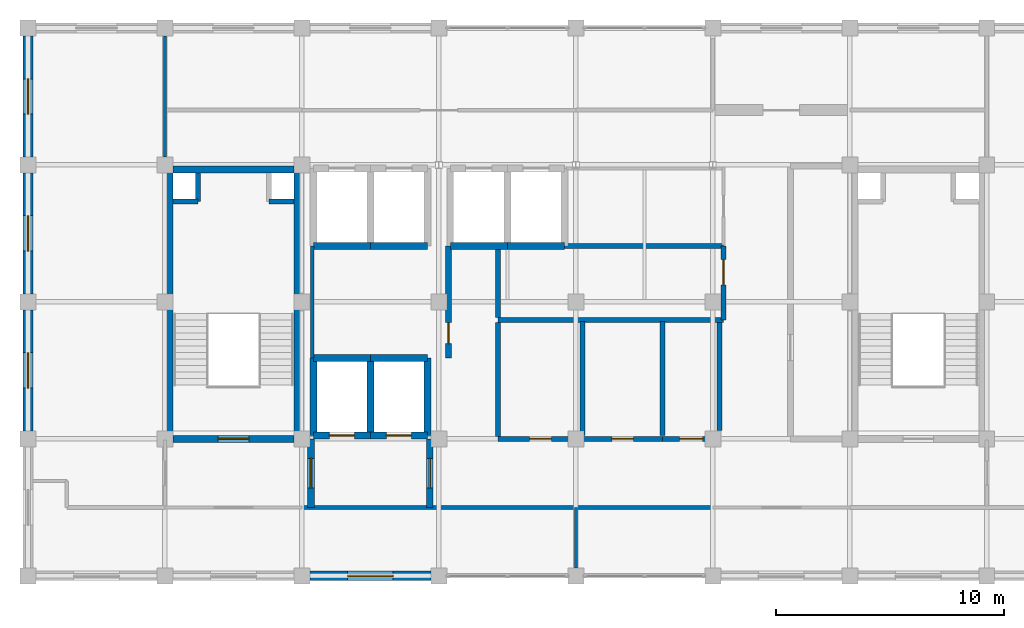
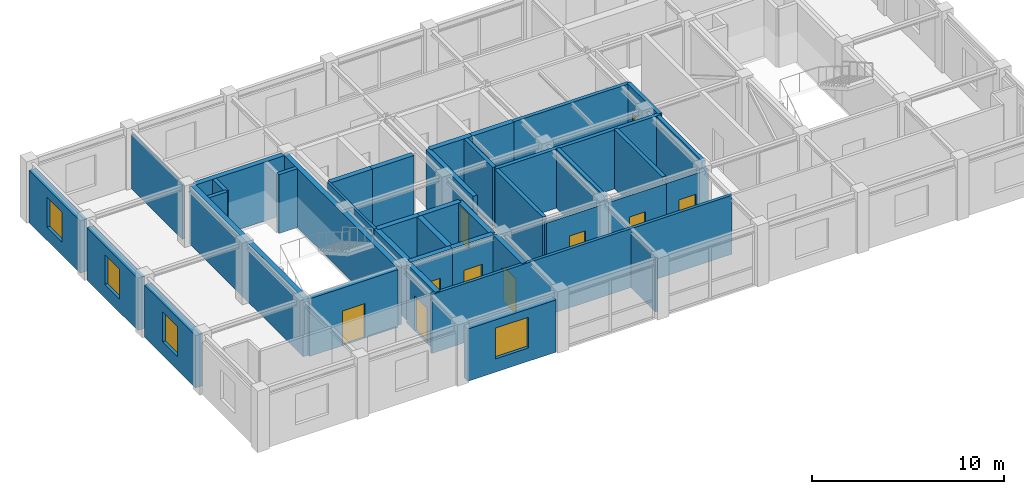
# One storey, part 8 of 11: 40 walls, 10 doors, 4 windows, 14 openings.
"""IFC4 building model written with IfcOpenShell, lengths in metres."""

from ifc_helpers import new_model, si_unit, direction, frame, frame_2d, origin, place, context, subcontext, project, spatial, rectangle, extrude, material, layer, layer_set, type_object, element, fill, save


model = new_model("IFC4")

# Units and contexts
model_context = context("Model", 3, precision=1e-05, world=origin(), true_north=direction((0.0, 1.0)))
body_context = subcontext(model_context, "Body", "Model", "MODEL_VIEW")
ifc_project = project(units=[si_unit("LENGTHUNIT", "METRE"), si_unit("AREAUNIT", "SQUARE_METRE"), si_unit("VOLUMEUNIT", "CUBIC_METRE"), si_unit("PLANEANGLEUNIT", "RADIAN"), si_unit("MASSUNIT", "GRAM", prefix="KILO")], contexts=[model_context])

# Site, building, storey
site_placement = place(None, origin())
site = spatial("IfcSite", under=ifc_project, at=site_placement, CompositionType="ELEMENT")
building_placement = place(site_placement, origin())
building = spatial("IfcBuilding", under=site, at=building_placement, Name="Zlatovratsky Civic Hall", CompositionType="ELEMENT")
storey_placement = place(building_placement, frame((0.0, 0.0, 56.10009765625)))
storey = spatial("IfcBuildingStorey", under=building, at=storey_placement, Name="L14", CompositionType="ELEMENT", Elevation=56.10009765625)

# Wall
ifc_material_1 = material(Name="Acoustic ceramic blockwork", Category="masonry")
ifc_layer_1 = layer(ifc_material_1, 0.179931640625)
ifc_layer_set_1 = layer_set([ifc_layer_1], Name="Acoustic ceramic blockwork")
wall_type_1 = type_object("IfcWallType", Name="Wall_AcousticChamberPartition_180", PredefinedType="PARTITIONING", material=ifc_layer_set_1)
wall_1_placement = place(storey_placement, frame((72.0, 81.0, 0.0), z_axis=(0.0, 0.0, 1.0), x_axis=(1.0, 0.0, 0.0)))
element("IfcWall", 1, at=wall_1_placement, inside=storey, type_object=wall_type_1, Name="WL-6675", PredefinedType="PARTITIONING", context=body_context, shape_type="SweptSolid", body=[
    extrude(rectangle(XDim=18.0, YDim=0.179931640625, at=frame_2d((9.0, 0.0))), origin(), (0.0, 0.0, 1.0), 3.739990234375),
])

# Wall, opening, door
ifc_layer_2 = layer(ifc_material_1, 0.260009765625)
ifc_layer_set_2 = layer_set([ifc_layer_2], Name="Acoustic ceramic blockwork")
wall_type_2 = type_object("IfcWallType", Name="Wall_ArchiveCompartment_260", PredefinedType="PARTITIONING", material=ifc_layer_set_2)
wall_2_placement = place(storey_placement, frame((78.419921875, 87.550048828125, 0.0), z_axis=(0.0, 0.0, 1.0), x_axis=(0.0, 1.0, 0.0)))
wall_2 = element("IfcWall", 2, at=wall_2_placement, inside=storey, type_object=wall_type_2, Name="WL-6664", PredefinedType="PARTITIONING", context=body_context, shape_type="SweptSolid", body=[
    extrude(rectangle(XDim=4.89990234375, YDim=0.260009765625, at=frame_2d((2.449951171875, 0.0))), origin(), (0.0, 0.0, 1.0), 3.739990234375),
])
opening_1_placement = place(wall_2_placement, frame((0.617919921875, 0.0, 0.0)))
opening_1 = element("IfcOpeningElement", 3, at=opening_1_placement, cuts=wall_2, Name="Opening D-23", PredefinedType="OPENING", context=body_context, shape_type="SweptSolid", body=[
    extrude(rectangle(XDim=0.919921875, YDim=2.14990234375, at=frame_2d((0.4599609375, 1.074951171875))), frame((0.0, 0.14501953125, 0.0), z_axis=(0.0, -1.0, 0.0), x_axis=(1.0, 0.0, 0.0)), (0.0, 0.0, 1.0), 0.289794921875),
])
ifc_material_2 = material(Name="Solid oak joinery in steel frame", Category="steel")
door_type_1 = type_object("IfcDoorType", Name="Door_OfficeStandard_920x2150", OperationType="NOTDEFINED", PredefinedType="DOOR", material=ifc_material_2)
door_1_placement = place(opening_1_placement, origin())
door_1 = element("IfcDoor", 4, at=door_1_placement, inside=storey, type_object=door_type_1, Name="DR-5513", OperationType="SINGLE_SWING_LEFT", OverallHeight=2.14990234375, OverallWidth=0.919921875, PredefinedType="DOOR", context=body_context, shape_type="SweptSolid", body=[
    extrude(rectangle(XDim=0.919921875, YDim=2.14990234375, at=frame_2d((0.4599609375, 1.074951171875))), frame((0.0, 0.02490234375, 0.0), z_axis=(0.0, -1.0, 0.0), x_axis=(1.0, 0.0, 0.0)), (0.0, 0.0, 1.0), 0.050048828125),
])
fill(opening_1, door_1)

# Walls
ifc_material_3 = material(Name="Fire-rated gypsum board framing", Category="gypsum")
ifc_layer_3 = layer(ifc_material_3, 0.139892578125)
ifc_layer_set_3 = layer_set([ifc_layer_3], Name="Fire-rated gypsum board framing")
wall_type_3 = type_object("IfcWallType", Name="Wall_OfficePartition_140", PredefinedType="PARTITIONING", material=ifc_layer_set_3)
wall_3_placement = place(storey_placement, frame((84.0, 78.35009765625, 0.0), z_axis=(0.0, 0.0, 1.0), x_axis=(0.0, 1.0, 0.0)))
element("IfcWall", 5, at=wall_3_placement, inside=storey, type_object=wall_type_3, Name="WL-6666", PredefinedType="PARTITIONING", context=body_context, shape_type="SweptSolid", body=[
    extrude(rectangle(XDim=2.64990234375, YDim=0.139892578125, at=frame_2d((1.324951171875, 0.0))), origin(), (0.0, 0.0, 1.0), 3.448974609375),
])
wall_4_placement = place(storey_placement, frame((72.449951171875, 87.550048828125, 0.0), z_axis=(0.0, 0.0, 1.0), x_axis=(0.0, 1.0, 0.0)))
element("IfcWall", 6, at=wall_4_placement, inside=storey, type_object=wall_type_3, Name="WL-6668", PredefinedType="PARTITIONING", context=body_context, shape_type="SweptSolid", body=[
    extrude(rectangle(XDim=4.89990234375, YDim=0.139892578125, at=frame_2d((2.449951171875, 0.0))), origin(), (0.0, 0.0, 1.0), 3.739990234375),
])
wall_5_placement = place(storey_placement, frame((66.0, 96.35009765625, 0.0), z_axis=(0.0, 0.0, 1.0), x_axis=(0.0, 1.0, 0.0)))
element("IfcWall", 7, at=wall_5_placement, inside=storey, type_object=wall_type_3, Name="WL-6684", PredefinedType="PARTITIONING", context=body_context, shape_type="SweptSolid", body=[
    extrude(rectangle(XDim=5.2998046875, YDim=0.139892578125, at=frame_2d((2.64990234375, 0.0))), origin(), (0.0, 0.0, 1.0), 3.448974609375),
])
ifc_layer_4 = layer(ifc_material_1, 0.219970703125)
ifc_layer_set_4 = layer_set([ifc_layer_4], Name="Acoustic ceramic blockwork")
wall_type_4 = type_object("IfcWallType", Name="Wall_SanitaryWetCore_220", PredefinedType="PARTITIONING", material=ifc_layer_set_4)
wall_6_placement = place(storey_placement, frame((67.449951171875, 94.39990234375, 0.0), z_axis=(0.0, 0.0, 1.0), x_axis=(0.0, 1.0, 0.0)))
element("IfcWall", 8, at=wall_6_placement, inside=storey, type_object=wall_type_4, Name="WL-5117", PredefinedType="PARTITIONING", context=body_context, shape_type="SweptSolid", body=[
    extrude(rectangle(XDim=1.25, YDim=0.219970703125, at=frame_2d((0.625, 0.0))), origin(), (0.0, 0.0, 1.0), 3.739990234375),
])
for number, where, z_axis, x_axis, name in (
    (9, (66.35009765625, 94.39990234375, 0.0), (0.0, 0.0, 1.0), (1.0, 0.0, 0.0), "WL-5118"),
    (10, (70.550048828125, 94.39990234375, 0.0), (0.0, 0.0, 1.0), (1.0, 0.0, 0.0), "WL-5120"),
):
    element("IfcWall", number, at=place(storey_placement, frame(where, z_axis=z_axis, x_axis=x_axis)), inside=storey, type_object=wall_type_4, Name=name, PredefinedType="PARTITIONING", context=body_context, shape_type="SweptSolid", body=[
        extrude(rectangle(XDim=1.099853515625, YDim=0.219970703125, at=frame_2d((0.5498046875, 0.0))), origin(), (0.0, 0.0, 1.0), 3.739990234375),
    ])

# Wall, opening, door
wall_7_placement = place(storey_placement, frame((80.60009765625, 84.0, 0.0), z_axis=(0.0, 0.0, 1.0), x_axis=(1.0, 0.0, 0.0)))
wall_7 = element("IfcWall", 11, at=wall_7_placement, inside=storey, type_object=wall_type_4, Name="WL-6651", PredefinedType="PARTITIONING", context=body_context, shape_type="SweptSolid", body=[
    extrude(rectangle(XDim=3.699951171875, YDim=0.219970703125, at=frame_2d((1.85009765625, 0.0))), origin(), (0.0, 0.0, 1.0), 3.448974609375),
])
opening_2_placement = place(wall_7_placement, frame((1.375, 0.0, 0.0)))
opening_2 = element("IfcOpeningElement", 12, at=opening_2_placement, cuts=wall_7, Name="Opening D-21", PredefinedType="OPENING", context=body_context, shape_type="SweptSolid", body=[
    extrude(rectangle(XDim=0.949951171875, YDim=2.14990234375, at=frame_2d((0.47509765625, 1.074951171875))), frame((0.0, 0.125, 0.0), z_axis=(0.0, -1.0, 0.0), x_axis=(1.0, 0.0, 0.0)), (0.0, 0.0, 1.0), 0.249755859375),
])
door_type_2 = type_object("IfcDoorType", Name="Door_MensWC_950x2150", OperationType="NOTDEFINED", PredefinedType="DOOR", material=ifc_material_2)
door_2_placement = place(opening_2_placement, origin())
door_2 = element("IfcDoor", 13, at=door_2_placement, inside=storey, type_object=door_type_2, Name="DR-5503", OperationType="SINGLE_SWING_LEFT", OverallHeight=2.14990234375, OverallWidth=0.949951171875, PredefinedType="DOOR", context=body_context, shape_type="SweptSolid", body=[
    extrude(rectangle(XDim=0.949951171875, YDim=2.14990234375, at=frame_2d((0.47509765625, 1.074951171875))), frame((0.0, 0.02490234375, 0.0), z_axis=(0.0, -1.0, 0.0), x_axis=(1.0, 0.0, 0.0)), (0.0, 0.0, 1.0), 0.050048828125),
])
fill(opening_2, door_2)

wall_8_placement = place(storey_placement, frame((84.300048828125, 84.0, 0.0), z_axis=(0.0, 0.0, 1.0), x_axis=(1.0, 0.0, 0.0)))
wall_8 = element("IfcWall", 14, at=wall_8_placement, inside=storey, type_object=wall_type_4, Name="WL-6652", PredefinedType="PARTITIONING", context=body_context, shape_type="SweptSolid", body=[
    extrude(rectangle(XDim=3.5, YDim=0.219970703125, at=frame_2d((1.75, 0.0))), origin(), (0.0, 0.0, 1.0), 3.448974609375),
])
opening_3_placement = place(wall_8_placement, frame((1.27490234375, 0.0, 0.0)))
opening_3 = element("IfcOpeningElement", 15, at=opening_3_placement, cuts=wall_8, Name="Opening D-22", PredefinedType="OPENING", context=body_context, shape_type="SweptSolid", body=[
    extrude(rectangle(XDim=0.949951171875, YDim=2.10009765625, at=frame_2d((0.47509765625, 1.050048828125))), frame((0.0, 0.125, 0.0), z_axis=(0.0, -1.0, 0.0), x_axis=(1.0, 0.0, 0.0)), (0.0, 0.0, 1.0), 0.249755859375),
])
door_type_3 = type_object("IfcDoorType", Name="Door_WomensWC_950x2100", OperationType="NOTDEFINED", PredefinedType="DOOR", material=ifc_material_2)
door_3_placement = place(opening_3_placement, origin())
door_3 = element("IfcDoor", 16, at=door_3_placement, inside=storey, type_object=door_type_3, Name="DR-5504", OperationType="SINGLE_SWING_RIGHT", OverallHeight=2.10009765625, OverallWidth=0.949951171875, PredefinedType="DOOR", context=body_context, shape_type="SweptSolid", body=[
    extrude(rectangle(XDim=0.949951171875, YDim=2.10009765625, at=frame_2d((0.47509765625, 1.050048828125))), frame((0.0, 0.02490234375, 0.0), z_axis=(0.0, -1.0, 0.0), x_axis=(1.0, 0.0, 0.0)), (0.0, 0.0, 1.0), 0.050048828125),
])
fill(opening_3, door_3)

wall_9_placement = place(storey_placement, frame((87.800048828125, 84.0, 0.0), z_axis=(0.0, 0.0, 1.0), x_axis=(1.0, 0.0, 0.0)))
wall_9 = element("IfcWall", 17, at=wall_9_placement, inside=storey, type_object=wall_type_4, Name="WL-6653", PredefinedType="PARTITIONING", context=body_context, shape_type="SweptSolid", body=[
    extrude(rectangle(XDim=2.5, YDim=0.219970703125, at=frame_2d((1.25, 0.0))), origin(), (0.0, 0.0, 1.0), 3.448974609375),
])
opening_4_placement = place(wall_9_placement, frame((0.75, 0.0, 0.0)))
opening_4 = element("IfcOpeningElement", 18, at=opening_4_placement, cuts=wall_9, Name="Opening D-20", PredefinedType="OPENING", context=body_context, shape_type="SweptSolid", body=[
    extrude(rectangle(XDim=1.0, YDim=2.14990234375, at=frame_2d((0.5, 1.074951171875))), frame((0.0, 0.125, 0.0), z_axis=(0.0, -1.0, 0.0), x_axis=(1.0, 0.0, 0.0)), (0.0, 0.0, 1.0), 0.249755859375),
])
door_type_4 = type_object("IfcDoorType", Name="Door_AccessibleWC_1000x2150", OperationType="NOTDEFINED", PredefinedType="DOOR", material=ifc_material_2)
door_4_placement = place(opening_4_placement, origin())
door_4 = element("IfcDoor", 19, at=door_4_placement, inside=storey, type_object=door_type_4, Name="DR-5505", OperationType="SINGLE_SWING_LEFT", OverallHeight=2.14990234375, OverallWidth=1.0, PredefinedType="DOOR", context=body_context, shape_type="SweptSolid", body=[
    extrude(rectangle(XDim=1.0, YDim=2.14990234375, at=frame_2d((0.5, 1.074951171875))), frame((0.0, 0.02490234375, 0.0), z_axis=(0.0, -1.0, 0.0), x_axis=(1.0, 0.0, 0.0)), (0.0, 0.0, 1.0), 0.050048828125),
])
fill(opening_4, door_4)

# Walls
for number, where, z_axis, x_axis, name in (
    (20, (84.300048828125, 84.14990234375, 0.0), (0.0, 0.0, 1.0), (0.0, 1.0, 0.0), "WL-6654"),
    (21, (87.800048828125, 84.14990234375, 0.0), (0.0, 0.0, 1.0), (0.0, 1.0, 0.0), "WL-6655"),
):
    element("IfcWall", number, at=place(storey_placement, frame(where, z_axis=z_axis, x_axis=x_axis)), inside=storey, type_object=wall_type_4, Name=name, PredefinedType="PARTITIONING", context=body_context, shape_type="SweptSolid", body=[
        extrude(rectangle(XDim=5.0, YDim=0.219970703125, at=frame_2d((2.5, 0.0))), origin(), (0.0, 0.0, 1.0), 3.739990234375),
    ])
wall_10_placement = place(storey_placement, frame((80.60009765625, 89.199951171875, 0.0), z_axis=(0.0, 0.0, 1.0), x_axis=(1.0, 0.0, 0.0)))
element("IfcWall", 22, at=wall_10_placement, inside=storey, type_object=wall_type_4, Name="WL-6656", PredefinedType="PARTITIONING", context=body_context, shape_type="SweptSolid", body=[
    extrude(rectangle(XDim=9.869873046875, YDim=0.219970703125, at=frame_2d((4.93505859375, 0.0))), origin(), (0.0, 0.0, 1.0), 3.739990234375),
])

# Wall, opening, door
wall_11_placement = place(storey_placement, frame((90.469970703125, 89.199951171875, 0.0), z_axis=(0.0, 0.0, 1.0), x_axis=(0.0, 1.0, 0.0)))
wall_11 = element("IfcWall", 23, at=wall_11_placement, inside=storey, type_object=wall_type_4, Name="WL-6657", PredefinedType="PARTITIONING", context=body_context, shape_type="SweptSolid", body=[
    extrude(rectangle(XDim=3.25, YDim=0.219970703125, at=frame_2d((1.625, 0.0))), origin(), (0.0, 0.0, 1.0), 3.739990234375),
])
opening_5_placement = place(wall_11_placement, frame((1.550048828125, 0.0, 0.0)))
opening_5 = element("IfcOpeningElement", 24, at=opening_5_placement, cuts=wall_11, Name="Opening D-30", PredefinedType="OPENING", context=body_context, shape_type="SweptSolid", body=[
    extrude(rectangle(XDim=1.10009765625, YDim=2.14990234375, at=frame_2d((0.550048828125, 1.074951171875))), frame((0.0, 0.125, 0.0), z_axis=(0.0, -1.0, 0.0), x_axis=(1.0, 0.0, 0.0)), (0.0, 0.0, 1.0), 0.249755859375),
])
ifc_material_4 = material(Name="Insulated painted fire-rated steel leaf", Category="steel")
door_type_5 = type_object("IfcDoorType", Name="Door_ElectricalRoom_1100x2150", OperationType="NOTDEFINED", PredefinedType="DOOR", material=ifc_material_4)
door_5_placement = place(opening_5_placement, origin())
door_5 = element("IfcDoor", 25, at=door_5_placement, inside=storey, type_object=door_type_5, Name="DR-5506", OperationType="SINGLE_SWING_RIGHT", OverallHeight=2.14990234375, OverallWidth=1.10009765625, PredefinedType="DOOR", context=body_context, shape_type="SweptSolid", body=[
    extrude(rectangle(XDim=1.10009765625, YDim=2.14990234375, at=frame_2d((0.550048828125, 1.074951171875))), frame((0.0, 0.02490234375, 0.0), z_axis=(0.0, -1.0, 0.0), x_axis=(1.0, 0.0, 0.0)), (0.0, 0.0, 1.0), 0.050048828125),
])
fill(opening_5, door_5)

# Walls
wall_12_placement = place(storey_placement, frame((80.60009765625, 84.110107421875, 0.0), z_axis=(0.0, 0.0, 1.0), x_axis=(0.0, 1.0, 0.0)))
element("IfcWall", 26, at=wall_12_placement, inside=storey, type_object=wall_type_4, Name="WL-6670", PredefinedType="PARTITIONING", context=body_context, shape_type="SweptSolid", body=[
    extrude(rectangle(XDim=4.97998046875, YDim=0.219970703125, at=frame_2d((2.489990234375, 0.0))), origin(), (0.0, 0.0, 1.0), 3.739990234375),
])
wall_13_placement = place(storey_placement, frame((90.300048828125, 84.360107421875, 0.0), z_axis=(0.0, 0.0, 1.0), x_axis=(0.0, 1.0, 0.0)))
element("IfcWall", 27, at=wall_13_placement, inside=storey, type_object=wall_type_4, Name="WL-6671", PredefinedType="PARTITIONING", context=body_context, shape_type="SweptSolid", body=[
    extrude(rectangle(XDim=4.72998046875, YDim=0.219970703125, at=frame_2d((2.364990234375, 0.0))), origin(), (0.0, 0.0, 1.0), 3.739990234375),
])
wall_14_placement = place(storey_placement, frame((80.60009765625, 89.31005859375, 0.0), z_axis=(0.0, 0.0, 1.0), x_axis=(0.0, 1.0, 0.0)))
element("IfcWall", 28, at=wall_14_placement, inside=storey, type_object=wall_type_4, Name="WL-6672", PredefinedType="PARTITIONING", context=body_context, shape_type="SweptSolid", body=[
    extrude(rectangle(XDim=2.989990234375, YDim=0.219970703125, at=frame_2d((1.4951171875, 0.0))), origin(), (0.0, 0.0, 1.0), 3.739990234375),
])
wall_15_placement = place(storey_placement, frame((83.5, 92.449951171875, 0.0), z_axis=(0.0, 0.0, 1.0), x_axis=(1.0, 0.0, 0.0)))
element("IfcWall", 29, at=wall_15_placement, inside=storey, type_object=wall_type_4, Name="WL-6673", PredefinedType="PARTITIONING", context=body_context, shape_type="SweptSolid", body=[
    extrude(rectangle(XDim=6.969970703125, YDim=0.219970703125, at=frame_2d((3.48486328125, 0.0))), origin(), (0.0, 0.0, 1.0), 3.739990234375),
])

# Wall, opening, door
ifc_material_5 = material(Name="Concrete C35/45 (B40)", Category="concrete")
ifc_layer_5 = layer(ifc_material_5, 0.300048828125)
ifc_layer_set_5 = layer_set([ifc_layer_5], Name="Concrete C35/45 (B40)")
wall_type_5 = type_object("IfcWallType", Name="Wall_StairAndLiftShaft_300", PredefinedType="SHEAR", material=ifc_layer_set_5)
wall_16_placement = place(storey_placement, frame((66.35009765625, 84.0, 0.0), z_axis=(0.0, 0.0, 1.0), x_axis=(1.0, 0.0, 0.0)))
wall_16 = element("IfcWall", 30, at=wall_16_placement, inside=storey, type_object=wall_type_5, Name="WL-5113", PredefinedType="SHEAR", context=body_context, shape_type="SweptSolid", body=[
    extrude(rectangle(XDim=5.2998046875, YDim=0.300048828125, at=frame_2d((2.64990234375, 0.0))), origin(), (0.0, 0.0, 1.0), 3.659912109375),
])
opening_6_placement = place(wall_16_placement, frame((1.97509765625, 0.0, 0.0)))
opening_6 = element("IfcOpeningElement", 31, at=opening_6_placement, cuts=wall_16, Name="Opening D-17", PredefinedType="OPENING", context=body_context, shape_type="SweptSolid", body=[
    extrude(rectangle(XDim=1.35009765625, YDim=2.199951171875, at=frame_2d((0.675048828125, 1.10009765625))), frame((0.0, 0.1650390625, 0.0), z_axis=(0.0, -1.0, 0.0), x_axis=(1.0, 0.0, 0.0)), (0.0, 0.0, 1.0), 0.329833984375),
])
door_type_6 = type_object("IfcDoorType", Name="Door_StairwellFireTower_1350x2200", OperationType="NOTDEFINED", PredefinedType="DOOR", material=ifc_material_4)
door_6_placement = place(opening_6_placement, origin())
door_6 = element("IfcDoor", 32, at=door_6_placement, inside=storey, type_object=door_type_6, Name="DR-5015", OperationType="SINGLE_SWING_LEFT", OverallHeight=2.199951171875, OverallWidth=1.35009765625, PredefinedType="DOOR", context=body_context, shape_type="SweptSolid", body=[
    extrude(rectangle(XDim=1.35009765625, YDim=2.199951171875, at=frame_2d((0.675048828125, 1.10009765625))), frame((0.0, 0.02490234375, 0.0), z_axis=(0.0, -1.0, 0.0), x_axis=(1.0, 0.0, 0.0)), (0.0, 0.0, 1.0), 0.050048828125),
])
fill(opening_6, door_6)

# Walls
wall_17_placement = place(storey_placement, frame((66.35009765625, 95.800048828125, 0.0), z_axis=(0.0, 0.0, 1.0), x_axis=(1.0, 0.0, 0.0)))
element("IfcWall", 33, at=wall_17_placement, inside=storey, type_object=wall_type_5, Name="WL-5114", PredefinedType="SHEAR", context=body_context, shape_type="SweptSolid", body=[
    extrude(rectangle(XDim=5.2998046875, YDim=0.300048828125, at=frame_2d((2.64990234375, 0.0))), origin(), (0.0, 0.0, 1.0), 3.739990234375),
])
for number, where, z_axis, x_axis, name in (
    (34, (66.199951171875, 84.0, 0.0), (0.0, 0.0, 1.0), (0.0, 1.0, 0.0), "WL-5115"),
    (35, (71.800048828125, 84.0, 0.0), (0.0, 0.0, 1.0), (0.0, 1.0, 0.0), "WL-5116"),
):
    element("IfcWall", number, at=place(storey_placement, frame(where, z_axis=z_axis, x_axis=x_axis)), inside=storey, type_object=wall_type_5, Name=name, PredefinedType="SHEAR", context=body_context, shape_type="SweptSolid", body=[
        extrude(rectangle(XDim=11.800048828125, YDim=0.300048828125, at=frame_2d((5.89990234375, 0.0))), origin(), (0.0, 0.0, 1.0), 3.739990234375),
    ])

# Wall, opening, door
wall_18_placement = place(storey_placement, frame((72.5, 84.14990234375, 0.0), z_axis=(0.0, 0.0, 1.0), x_axis=(1.0, 0.0, 0.0)))
wall_18 = element("IfcWall", 36, at=wall_18_placement, inside=storey, type_object=wall_type_5, Name="WL-5535", PredefinedType="SHEAR", context=body_context, shape_type="SweptSolid", body=[
    extrude(rectangle(XDim=2.5, YDim=0.300048828125, at=frame_2d((1.25, 0.0))), origin(), (0.0, 0.0, 1.0), 3.739990234375),
])
opening_7_placement = place(wall_18_placement, frame((0.699951171875, 0.0, 0.0)))
opening_7 = element("IfcOpeningElement", 37, at=opening_7_placement, cuts=wall_18, Name="Opening LD-01", PredefinedType="OPENING", context=body_context, shape_type="SweptSolid", body=[
    extrude(rectangle(XDim=1.10009765625, YDim=2.10009765625, at=frame_2d((0.550048828125, 1.050048828125))), frame((0.0, 0.1650390625, 0.0), z_axis=(0.0, -1.0, 0.0), x_axis=(1.0, 0.0, 0.0)), (0.0, 0.0, 1.0), 0.329833984375),
])
ifc_material_6 = material(Name="Brushed stainless steel AISI 304", Category="steel")
door_type_7 = type_object("IfcDoorType", Name="Door_LiftLandingFire_1100x2100", OperationType="DOUBLE_DOOR_SLIDING", PredefinedType="DOOR", material=ifc_material_6)
door_7_placement = place(opening_7_placement, origin())
door_7 = element("IfcDoor", 38, at=door_7_placement, inside=storey, type_object=door_type_7, Name="Lift landing door LD-5073", OperationType="DOUBLE_DOOR_SLIDING", OverallHeight=2.10009765625, OverallWidth=1.10009765625, PredefinedType="DOOR", context=body_context, shape_type="SweptSolid", body=[
    extrude(rectangle(XDim=1.10009765625, YDim=2.10009765625, at=frame_2d((0.550048828125, 1.050048828125))), frame((0.0, 0.02490234375, 0.0), z_axis=(0.0, -1.0, 0.0), x_axis=(1.0, 0.0, 0.0)), (0.0, 0.0, 1.0), 0.050048828125),
])
fill(opening_7, door_7)

# Walls
wall_19_placement = place(storey_placement, frame((72.5, 87.550048828125, 0.0), z_axis=(0.0, 0.0, 1.0), x_axis=(1.0, 0.0, 0.0)))
element("IfcWall", 39, at=wall_19_placement, inside=storey, type_object=wall_type_5, Name="WL-5536", PredefinedType="SHEAR", context=body_context, shape_type="SweptSolid", body=[
    extrude(rectangle(XDim=2.5, YDim=0.300048828125, at=frame_2d((1.25, 0.0))), origin(), (0.0, 0.0, 1.0), 3.739990234375),
])
wall_20_placement = place(storey_placement, frame((72.5, 84.14990234375, 0.0), z_axis=(0.0, 0.0, 1.0), x_axis=(0.0, 1.0, 0.0)))
element("IfcWall", 40, at=wall_20_placement, inside=storey, type_object=wall_type_5, Name="WL-5537", PredefinedType="SHEAR", context=body_context, shape_type="SweptSolid", body=[
    extrude(rectangle(XDim=3.400146484375, YDim=0.300048828125, at=frame_2d((1.7001953125, 0.0))), origin(), (0.0, 0.0, 1.0), 3.739990234375),
])

# Wall, opening, door
wall_21_placement = place(storey_placement, frame((75.0, 84.14990234375, 0.0), z_axis=(0.0, 0.0, 1.0), x_axis=(1.0, 0.0, 0.0)))
wall_21 = element("IfcWall", 41, at=wall_21_placement, inside=storey, type_object=wall_type_5, Name="WL-5606", PredefinedType="SHEAR", context=body_context, shape_type="SweptSolid", body=[
    extrude(rectangle(XDim=2.5, YDim=0.300048828125, at=frame_2d((1.25, 0.0))), origin(), (0.0, 0.0, 1.0), 3.739990234375),
])
opening_8_placement = place(wall_21_placement, frame((0.699951171875, 0.0, 0.0)))
opening_8 = element("IfcOpeningElement", 42, at=opening_8_placement, cuts=wall_21, Name="Opening LD-01", PredefinedType="OPENING", context=body_context, shape_type="SweptSolid", body=[
    extrude(rectangle(XDim=1.10009765625, YDim=2.10009765625, at=frame_2d((0.550048828125, 1.050048828125))), frame((0.0, 0.1650390625, 0.0), z_axis=(0.0, -1.0, 0.0), x_axis=(1.0, 0.0, 0.0)), (0.0, 0.0, 1.0), 0.329833984375),
])
door_8_placement = place(opening_8_placement, origin())
door_8 = element("IfcDoor", 43, at=door_8_placement, inside=storey, type_object=door_type_7, Name="Lift landing door LD-5092", OperationType="DOUBLE_DOOR_SLIDING", OverallHeight=2.10009765625, OverallWidth=1.10009765625, PredefinedType="DOOR", context=body_context, shape_type="SweptSolid", body=[
    extrude(rectangle(XDim=1.10009765625, YDim=2.10009765625, at=frame_2d((0.550048828125, 1.050048828125))), frame((0.0, 0.02490234375, 0.0), z_axis=(0.0, -1.0, 0.0), x_axis=(1.0, 0.0, 0.0)), (0.0, 0.0, 1.0), 0.050048828125),
])
fill(opening_8, door_8)

# Walls
wall_22_placement = place(storey_placement, frame((75.0, 87.550048828125, 0.0), z_axis=(0.0, 0.0, 1.0), x_axis=(1.0, 0.0, 0.0)))
element("IfcWall", 44, at=wall_22_placement, inside=storey, type_object=wall_type_5, Name="WL-5607", PredefinedType="SHEAR", context=body_context, shape_type="SweptSolid", body=[
    extrude(rectangle(XDim=2.5, YDim=0.300048828125, at=frame_2d((1.25, 0.0))), origin(), (0.0, 0.0, 1.0), 3.739990234375),
])
for number, where, z_axis, x_axis, name in (
    (45, (75.0, 84.14990234375, 0.0), (0.0, 0.0, 1.0), (0.0, 1.0, 0.0), "WL-5608"),
    (46, (77.5, 84.14990234375, 0.0), (0.0, 0.0, 1.0), (0.0, 1.0, 0.0), "WL-5609"),
):
    element("IfcWall", number, at=place(storey_placement, frame(where, z_axis=z_axis, x_axis=x_axis)), inside=storey, type_object=wall_type_5, Name=name, PredefinedType="SHEAR", context=body_context, shape_type="SweptSolid", body=[
        extrude(rectangle(XDim=3.400146484375, YDim=0.300048828125, at=frame_2d((1.7001953125, 0.0))), origin(), (0.0, 0.0, 1.0), 3.739990234375),
    ])
for number, where, z_axis, x_axis, name in (
    (47, (72.5, 92.449951171875, 0.0), (0.0, 0.0, 1.0), (1.0, 0.0, 0.0), "WL-5669"),
    (48, (75.0, 92.449951171875, 0.0), (0.0, 0.0, 1.0), (1.0, 0.0, 0.0), "WL-5740"),
    (49, (78.5, 92.449951171875, 0.0), (0.0, 0.0, 1.0), (1.0, 0.0, 0.0), "WL-5802"),
    (50, (81.0, 92.449951171875, 0.0), (0.0, 0.0, 1.0), (1.0, 0.0, 0.0), "WL-5873"),
):
    element("IfcWall", number, at=place(storey_placement, frame(where, z_axis=z_axis, x_axis=x_axis)), inside=storey, type_object=wall_type_5, Name=name, PredefinedType="SHEAR", context=body_context, shape_type="SweptSolid", body=[
        extrude(rectangle(XDim=2.5, YDim=0.300048828125, at=frame_2d((1.25, 0.0))), origin(), (0.0, 0.0, 1.0), 3.739990234375),
    ])

# Wall, opening, door
wall_23_placement = place(storey_placement, frame((72.39990234375, 81.0, 0.0), z_axis=(0.0, 0.0, 1.0), x_axis=(0.0, 1.0, 0.0)))
wall_23 = element("IfcWall", 51, at=wall_23_placement, inside=storey, type_object=wall_type_5, Name="WL-6649", PredefinedType="SHEAR", context=body_context, shape_type="SweptSolid", body=[
    extrude(rectangle(XDim=3.0, YDim=0.300048828125, at=frame_2d((1.5, 0.0))), origin(), (0.0, 0.0, 1.0), 3.739990234375),
])
opening_9_placement = place(wall_23_placement, frame((0.85009765625, 0.0, 0.0)))
opening_9 = element("IfcOpeningElement", 52, at=opening_9_placement, cuts=wall_23, Name="Opening D-18", PredefinedType="OPENING", context=body_context, shape_type="SweptSolid", body=[
    extrude(rectangle(XDim=1.300048828125, YDim=2.199951171875, at=frame_2d((0.64990234375, 1.10009765625))), frame((0.0, 0.1650390625, 0.0), z_axis=(0.0, -1.0, 0.0), x_axis=(1.0, 0.0, 0.0)), (0.0, 0.0, 1.0), 0.329833984375),
])
door_type_8 = type_object("IfcDoorType", Name="Door_FireLobbyAirlock_1300x2200", OperationType="NOTDEFINED", PredefinedType="DOOR", material=ifc_material_4)
door_9_placement = place(opening_9_placement, origin())
door_9 = element("IfcDoor", 53, at=door_9_placement, inside=storey, type_object=door_type_8, Name="DR-5501", OperationType="SINGLE_SWING_RIGHT", OverallHeight=2.199951171875, OverallWidth=1.300048828125, PredefinedType="DOOR", context=body_context, shape_type="SweptSolid", body=[
    extrude(rectangle(XDim=1.300048828125, YDim=2.199951171875, at=frame_2d((0.64990234375, 1.10009765625))), frame((0.0, 0.02490234375, 0.0), z_axis=(0.0, -1.0, 0.0), x_axis=(1.0, 0.0, 0.0)), (0.0, 0.0, 1.0), 0.050048828125),
])
fill(opening_9, door_9)

wall_24_placement = place(storey_placement, frame((77.60009765625, 81.0, 0.0), z_axis=(0.0, 0.0, 1.0), x_axis=(0.0, 1.0, 0.0)))
wall_24 = element("IfcWall", 54, at=wall_24_placement, inside=storey, type_object=wall_type_5, Name="WL-6650", PredefinedType="SHEAR", context=body_context, shape_type="SweptSolid", body=[
    extrude(rectangle(XDim=3.0, YDim=0.300048828125, at=frame_2d((1.5, 0.0))), origin(), (0.0, 0.0, 1.0), 3.739990234375),
])
opening_10_placement = place(wall_24_placement, frame((0.85009765625, 0.0, 0.0)))
opening_10 = element("IfcOpeningElement", 55, at=opening_10_placement, cuts=wall_24, Name="Opening D-18", PredefinedType="OPENING", context=body_context, shape_type="SweptSolid", body=[
    extrude(rectangle(XDim=1.300048828125, YDim=2.199951171875, at=frame_2d((0.64990234375, 1.10009765625))), frame((0.0, 0.1650390625, 0.0), z_axis=(0.0, -1.0, 0.0), x_axis=(1.0, 0.0, 0.0)), (0.0, 0.0, 1.0), 0.329833984375),
])
door_10_placement = place(opening_10_placement, origin())
door_10 = element("IfcDoor", 56, at=door_10_placement, inside=storey, type_object=door_type_8, Name="DR-5502", OperationType="SINGLE_SWING_RIGHT", OverallHeight=2.199951171875, OverallWidth=1.300048828125, PredefinedType="DOOR", context=body_context, shape_type="SweptSolid", body=[
    extrude(rectangle(XDim=1.300048828125, YDim=2.199951171875, at=frame_2d((0.64990234375, 1.10009765625))), frame((0.0, 0.02490234375, 0.0), z_axis=(0.0, -1.0, 0.0), x_axis=(1.0, 0.0, 0.0)), (0.0, 0.0, 1.0), 0.050048828125),
])
fill(opening_10, door_10)

# Wall, opening, window
ifc_layer_6 = layer(ifc_material_1, 0.280029296875, Name="Backing")
ifc_material_7 = material(Name="Podolsk limestone ashlar", Category="masonry")
ifc_layer_7 = layer(ifc_material_7, 0.139892578125, Name="Finish")
ifc_layer_set_6 = layer_set([ifc_layer_6, ifc_layer_7], Name="Acoustic ceramic blockwork")
wall_type_6 = type_object("IfcWallType", Name="Wall_TowerLimestoneAshlar_420", PredefinedType="SOLIDWALL", material=ifc_layer_set_6)
wall_25_placement = place(storey_placement, frame((72.35009765625, 78.0, 0.0), z_axis=(0.0, 0.0, 1.0), x_axis=(1.0, 0.0, 0.0)))
wall_25 = element("IfcWall", 57, at=wall_25_placement, inside=storey, type_object=wall_type_6, Name="WL-0611", PredefinedType="SOLIDWALL", context=body_context, shape_type="SweptSolid", body=[
    extrude(rectangle(XDim=5.2998046875, YDim=0.419921875, at=frame_2d((2.64990234375, 0.0))), origin(), (0.0, 0.0, 1.0), 3.31982421875),
])
opening_11_placement = place(wall_25_placement, frame((1.64990234375, 0.0, 0.85009765625)))
opening_11 = element("IfcOpeningElement", 58, at=opening_11_placement, cuts=wall_25, Name="Opening WN-20", PredefinedType="OPENING", context=body_context, shape_type="SweptSolid", body=[
    extrude(rectangle(XDim=2.0, YDim=1.949951171875, at=frame_2d((1.0, 0.97509765625))), frame((0.0, 0.224853515625, 0.0), z_axis=(0.0, -1.0, 0.0), x_axis=(1.0, 0.0, 0.0)), (0.0, 0.0, 1.0), 0.44970703125),
])
ifc_material_8 = material(Name="Low-E laminated double glazing", Category="glass")
window_type_1 = type_object("IfcWindowType", Name="Window_TowerTier3South_2000x1950", PartitioningType="SINGLE_PANEL", PredefinedType="WINDOW", material=ifc_material_8)
window_1_placement = place(opening_11_placement, origin())
window_1 = element("IfcWindow", 59, at=window_1_placement, inside=storey, type_object=window_type_1, Name="WN-0483", OverallHeight=1.949951171875, OverallWidth=2.0, PartitioningType="SINGLE_PANEL", PredefinedType="WINDOW", context=body_context, shape_type="SweptSolid", body=[
    extrude(rectangle(XDim=2.0, YDim=1.949951171875, at=frame_2d((1.0, 0.97509765625))), frame((0.0, 0.030029296875, 0.0), z_axis=(0.0, -1.0, 0.0), x_axis=(1.0, 0.0, 0.0)), (0.0, 0.0, 1.0), 0.06005859375),
])
fill(opening_11, window_1)

wall_26_placement = place(storey_placement, frame((60.0, 84.35009765625, 0.0), z_axis=(0.0, 0.0, 1.0), x_axis=(0.0, 1.0, 0.0)))
wall_26 = element("IfcWall", 60, at=wall_26_placement, inside=storey, type_object=wall_type_6, Name="WL-0622", PredefinedType="SOLIDWALL", context=body_context, shape_type="SweptSolid", body=[
    extrude(rectangle(XDim=5.2998046875, YDim=0.419921875, at=frame_2d((2.64990234375, 0.0))), origin(), (0.0, 0.0, 1.0), 3.31982421875),
])
opening_12_placement = place(wall_26_placement, frame((1.875, 0.0, 0.85009765625)))
opening_12 = element("IfcOpeningElement", 61, at=opening_12_placement, cuts=wall_26, Name="Opening WN-22", PredefinedType="OPENING", context=body_context, shape_type="SweptSolid", body=[
    extrude(rectangle(XDim=1.550048828125, YDim=1.89990234375, at=frame_2d((0.77490234375, 0.949951171875))), frame((0.0, 0.224853515625, 0.0), z_axis=(0.0, -1.0, 0.0), x_axis=(1.0, 0.0, 0.0)), (0.0, 0.0, 1.0), 0.44970703125),
])
window_type_2 = type_object("IfcWindowType", Name="Window_TowerTier3Flank_1550x1900", PartitioningType="SINGLE_PANEL", PredefinedType="WINDOW", material=ifc_material_8)
window_2_placement = place(opening_12_placement, origin())
window_2 = element("IfcWindow", 62, at=window_2_placement, inside=storey, type_object=window_type_2, Name="WN-0494", OverallHeight=1.89990234375, OverallWidth=1.550048828125, PartitioningType="SINGLE_PANEL", PredefinedType="WINDOW", context=body_context, shape_type="SweptSolid", body=[
    extrude(rectangle(XDim=1.550048828125, YDim=1.89990234375, at=frame_2d((0.77490234375, 0.949951171875))), frame((0.0, 0.030029296875, 0.0), z_axis=(0.0, -1.0, 0.0), x_axis=(1.0, 0.0, 0.0)), (0.0, 0.0, 1.0), 0.06005859375),
])
fill(opening_12, window_2)

wall_27_placement = place(storey_placement, frame((60.0, 90.35009765625, 0.0), z_axis=(0.0, 0.0, 1.0), x_axis=(0.0, 1.0, 0.0)))
wall_27 = element("IfcWall", 63, at=wall_27_placement, inside=storey, type_object=wall_type_6, Name="WL-0623", PredefinedType="SOLIDWALL", context=body_context, shape_type="SweptSolid", body=[
    extrude(rectangle(XDim=5.2998046875, YDim=0.419921875, at=frame_2d((2.64990234375, 0.0))), origin(), (0.0, 0.0, 1.0), 3.31982421875),
])
opening_13_placement = place(wall_27_placement, frame((1.875, 0.0, 0.85009765625)))
opening_13 = element("IfcOpeningElement", 64, at=opening_13_placement, cuts=wall_27, Name="Opening WN-22", PredefinedType="OPENING", context=body_context, shape_type="SweptSolid", body=[
    extrude(rectangle(XDim=1.550048828125, YDim=1.89990234375, at=frame_2d((0.77490234375, 0.949951171875))), frame((0.0, 0.224853515625, 0.0), z_axis=(0.0, -1.0, 0.0), x_axis=(1.0, 0.0, 0.0)), (0.0, 0.0, 1.0), 0.44970703125),
])
window_3_placement = place(opening_13_placement, origin())
window_3 = element("IfcWindow", 65, at=window_3_placement, inside=storey, type_object=window_type_2, Name="WN-0495", OverallHeight=1.89990234375, OverallWidth=1.550048828125, PartitioningType="SINGLE_PANEL", PredefinedType="WINDOW", context=body_context, shape_type="SweptSolid", body=[
    extrude(rectangle(XDim=1.550048828125, YDim=1.89990234375, at=frame_2d((0.77490234375, 0.949951171875))), frame((0.0, 0.030029296875, 0.0), z_axis=(0.0, -1.0, 0.0), x_axis=(1.0, 0.0, 0.0)), (0.0, 0.0, 1.0), 0.06005859375),
])
fill(opening_13, window_3)

wall_28_placement = place(storey_placement, frame((60.0, 96.35009765625, 0.0), z_axis=(0.0, 0.0, 1.0), x_axis=(0.0, 1.0, 0.0)))
wall_28 = element("IfcWall", 66, at=wall_28_placement, inside=storey, type_object=wall_type_6, Name="WL-0624", PredefinedType="SOLIDWALL", context=body_context, shape_type="SweptSolid", body=[
    extrude(rectangle(XDim=5.2998046875, YDim=0.419921875, at=frame_2d((2.64990234375, 0.0))), origin(), (0.0, 0.0, 1.0), 3.31982421875),
])
opening_14_placement = place(wall_28_placement, frame((1.875, 0.0, 0.85009765625)))
opening_14 = element("IfcOpeningElement", 67, at=opening_14_placement, cuts=wall_28, Name="Opening WN-22", PredefinedType="OPENING", context=body_context, shape_type="SweptSolid", body=[
    extrude(rectangle(XDim=1.550048828125, YDim=1.89990234375, at=frame_2d((0.77490234375, 0.949951171875))), frame((0.0, 0.224853515625, 0.0), z_axis=(0.0, -1.0, 0.0), x_axis=(1.0, 0.0, 0.0)), (0.0, 0.0, 1.0), 0.44970703125),
])
window_4_placement = place(opening_14_placement, origin())
window_4 = element("IfcWindow", 68, at=window_4_placement, inside=storey, type_object=window_type_2, Name="WN-0496", OverallHeight=1.89990234375, OverallWidth=1.550048828125, PartitioningType="SINGLE_PANEL", PredefinedType="WINDOW", context=body_context, shape_type="SweptSolid", body=[
    extrude(rectangle(XDim=1.550048828125, YDim=1.89990234375, at=frame_2d((0.77490234375, 0.949951171875))), frame((0.0, 0.030029296875, 0.0), z_axis=(0.0, -1.0, 0.0), x_axis=(1.0, 0.0, 0.0)), (0.0, 0.0, 1.0), 0.06005859375),
])
fill(opening_14, window_4)

save(model, "model.ifc")
